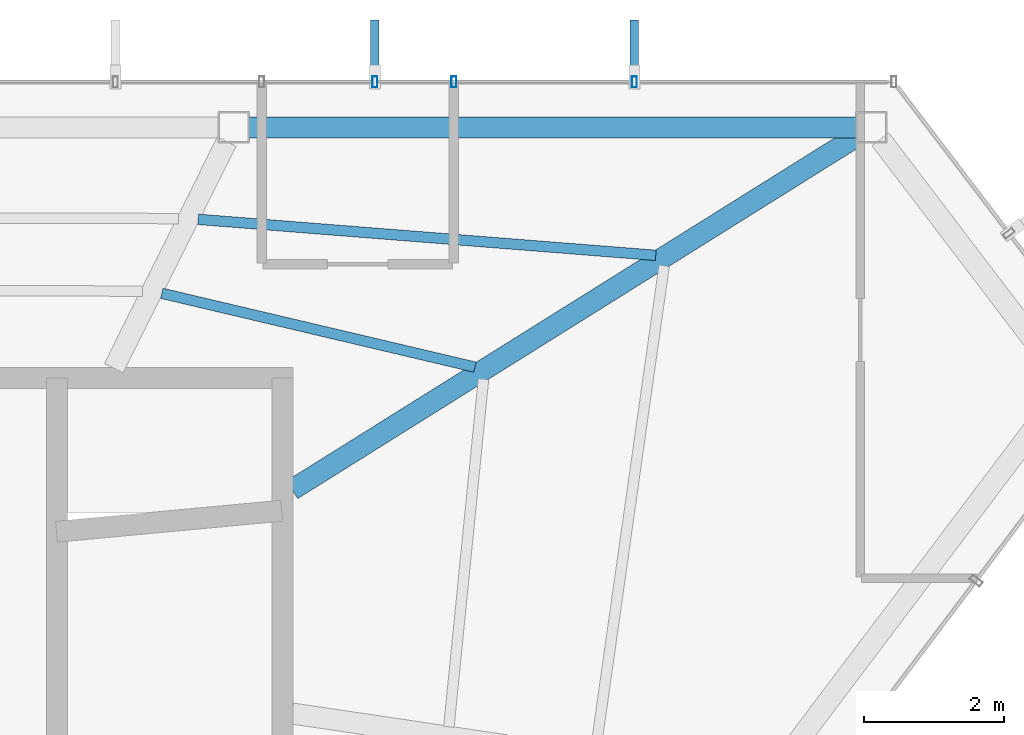
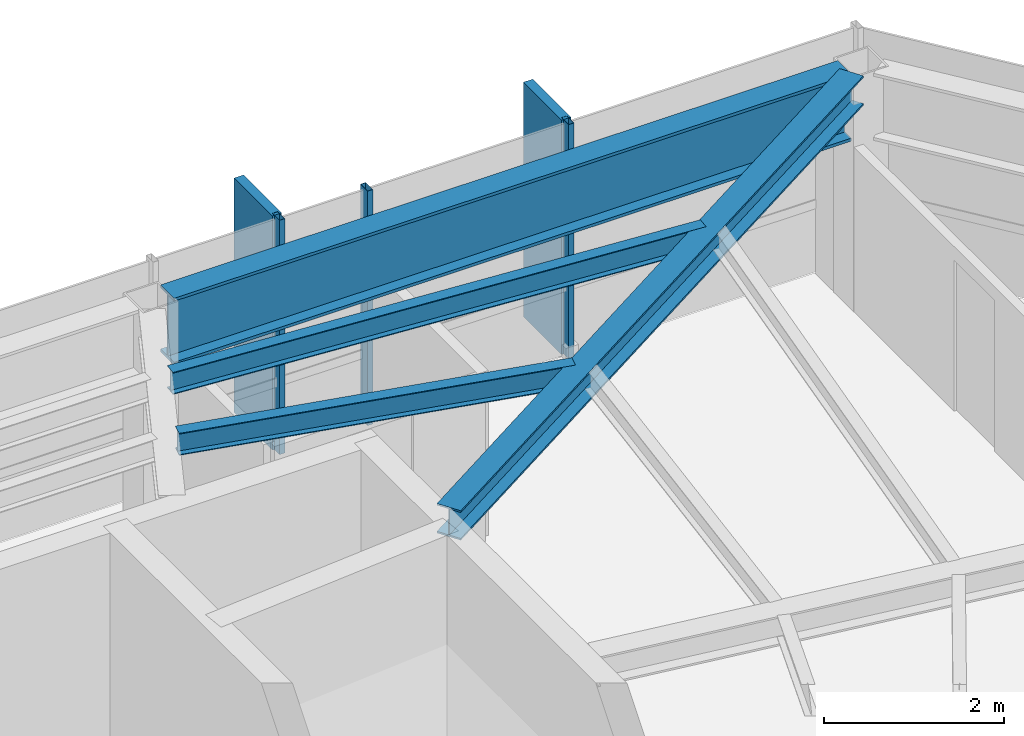
# One storey, part 18 of 23: 5 members, 4 beams, 1 element without a shape of its own.
"""IFC4 building model written with IfcOpenShell, lengths in metres."""

from ifc_helpers import new_model, si_unit, direction, frame, origin, origin_2d, place, context, subcontext, project, spatial, rectangle, hollow_rectangle, i_section, extrude, material, layer, layer_set, material_profile, profile_set, type_object, element, aggregate, save


model = new_model("IFC4")

# Units and contexts
model_context = context("Model", 3, precision=1e-05, world=origin(), true_north=direction((0.0, 1.0)))
body_context = subcontext(model_context, "Body", "Model", "MODEL_VIEW")
ifc_project = project(units=[si_unit("LENGTHUNIT", "METRE"), si_unit("AREAUNIT", "SQUARE_METRE"), si_unit("VOLUMEUNIT", "CUBIC_METRE"), si_unit("PLANEANGLEUNIT", "RADIAN"), si_unit("MASSUNIT", "GRAM", prefix="KILO")], contexts=[model_context])

# Site, building, storey
site_placement = place(None, origin())
site = spatial("IfcSite", under=ifc_project, at=site_placement, CompositionType="ELEMENT")
building_placement = place(site_placement, origin())
building = spatial("IfcBuilding", under=site, at=building_placement, Name="Zarrinselat Tower", CompositionType="ELEMENT")
storey_placement = place(building_placement, frame((0.0, 0.0, 278.800048828125)))
storey = spatial("IfcBuildingStorey", under=building, at=storey_placement, Name="L71", CompositionType="ELEMENT", Elevation=278.800048828125)

# Beams
ifc_material_1 = material(Name="Steel S355J2", Category="steel")
ifc_material_profile_1 = material_profile(ifc_material_1, i_section(OverallWidth=0.300048828125, OverallDepth=0.39990234375, WebThickness=0.013427734375, FlangeThickness=0.02392578125, at=origin_2d()), Name="HEB 400")
ifc_profile_set_1 = profile_set([ifc_material_profile_1], Name="Steel S355J2")
beam_type_1 = type_object("IfcBeamType", Name="BM-HEB400", PredefinedType="BEAM", material=ifc_profile_set_1)
beam_1_placement = place(storey_placement, frame((48.35009765625, 41.800048828125, 2.97998046875), z_axis=(0.847716518393, 0.530449530534, 0.0), x_axis=(-0.530449530534, 0.847716518393, 0.0)))
element("IfcBeam", 1, at=beam_1_placement, inside=storey, type_object=beam_type_1, Name="L71 Radial Primary Girder RG01", PredefinedType="BEAM", context=body_context, shape_type="SweptSolid", body=[
    extrude(i_section(OverallWidth=0.300048828125, OverallDepth=0.39990234375, WebThickness=0.013427734375, FlangeThickness=0.02392578125, at=origin_2d()), origin(), (0.0, 0.0, 1.0), 9.544189453125),
])
ifc_material_2 = material(Name="Steel S460M", Category="steel")
ifc_material_profile_2 = material_profile(ifc_material_2, i_section(OverallWidth=0.302001953125, OverallDepth=0.909912109375, WebThickness=0.02099609375, FlangeThickness=0.0400390625, at=origin_2d()), Name="HEM 900")
ifc_profile_set_2 = profile_set([ifc_material_profile_2], Name="Steel S460M")
beam_type_2 = type_object("IfcBeamType", Name="BM-HEM900", PredefinedType="BEAM", material=ifc_profile_set_2)
beam_2_placement = place(storey_placement, frame((47.729736328125, 46.9833984375, 2.724853515625), z_axis=(1.0, 0.0, 0.0), x_axis=(0.0, 1.0, 0.0)))
element("IfcBeam", 2, at=beam_2_placement, inside=storey, type_object=beam_type_2, Name="L71 Perimeter Spandrel Girder SP01", PredefinedType="BEAM", context=body_context, shape_type="SweptSolid", body=[
    extrude(i_section(OverallWidth=0.302001953125, OverallDepth=0.909912109375, WebThickness=0.02099609375, FlangeThickness=0.0400390625, at=origin_2d()), origin(), (0.0, 0.0, 1.0), 8.690673828125),
])
ifc_material_3 = material(Name="Steel S355J2", Category="steel")
ifc_material_profile_3 = material_profile(ifc_material_3, i_section(OverallWidth=0.14990234375, OverallDepth=0.300048828125, WebThickness=0.007080078125, FlangeThickness=0.0107421875, at=origin_2d()), Name="IPE 300")
ifc_profile_set_3 = profile_set([ifc_material_profile_3], Name="Steel S355J2")
beam_type_3 = type_object("IfcBeamType", Name="BM-IPE300", PredefinedType="JOIST", material=ifc_profile_set_3)
beam_3_placement = place(storey_placement, frame((47.005615234375, 45.66748046875, 3.030029296875), z_axis=(0.996919534301, -0.078431129848, 0.0), x_axis=(0.078431129848, 0.996919534301, 0.0)))
element("IfcBeam", 3, at=beam_3_placement, inside=storey, type_object=beam_type_3, Name="L71 Composite Floor Joist 6-1", PredefinedType="JOIST", context=body_context, shape_type="SweptSolid", body=[
    extrude(i_section(OverallWidth=0.14990234375, OverallDepth=0.300048828125, WebThickness=0.007080078125, FlangeThickness=0.0107421875, at=origin_2d()), origin(), (0.0, 0.0, 1.0), 6.56494140625),
])
beam_4_placement = place(storey_placement, frame((46.485595703125, 44.609619140625, 3.030029296875), z_axis=(0.973307123798, -0.229506520089, 0.0), x_axis=(0.229506520089, 0.973307123798, 0.0)))
element("IfcBeam", 4, at=beam_4_placement, inside=storey, type_object=beam_type_3, Name="L71 Composite Floor Joist 6-2", PredefinedType="JOIST", context=body_context, shape_type="SweptSolid", body=[
    extrude(i_section(OverallWidth=0.14990234375, OverallDepth=0.300048828125, WebThickness=0.007080078125, FlangeThickness=0.0107421875, at=origin_2d()), origin(), (0.0, 0.0, 1.0), 4.601806640625),
])

# Curtain wall, members
ifc_material_4 = material(Name="Extruded Aluminium Alloy EN AW-6063 T6", Category="aluminium")
ifc_layer = layer(ifc_material_4, 0.169921875)
ifc_layer_set = layer_set([ifc_layer], Name="Extruded Aluminium Alloy EN AW-6063 T6")
curtain_wall_type = type_object("IfcCurtainWallType", Name="CWS-RES", PredefinedType="NOTDEFINED", material=ifc_layer_set)
curtain_wall_placement = place(storey_placement, origin())
curtain_wall = element("IfcCurtainWall", 5, at=curtain_wall_placement, inside=storey, type_object=curtain_wall_type, Name="L71 Unitised Curtain Wall CW-L71-E01", PredefinedType="NOTDEFINED")
ifc_material_5 = material(Name="Extruded Aluminium Alloy EN AW-6063 T6", Category="aluminium")
ifc_material_profile_4 = material_profile(ifc_material_5, hollow_rectangle(XDim=0.070068359375, YDim=0.159912109375, WallThickness=0.00390625, at=origin_2d()), Name="RHS 160x70x4")
ifc_profile_set_4 = profile_set([ifc_material_profile_4], Name="Extruded Aluminium Alloy EN AW-6063 T6")
member_type_1 = type_object("IfcMemberType", Name="MEM-CW-MUL2", PredefinedType="MULLION", material=ifc_profile_set_4)
member_1_placement = place(storey_placement, frame((53.244140625, 47.63330078125, 0.0), z_axis=(0.0, 0.0, 1.0), x_axis=(-1.0, 0.0, 0.0)))
member_1 = element("IfcMember", 6, at=member_1_placement, type_object=member_type_1, Name="CW-L71-E01 Mullion 1", PredefinedType="MULLION", context=body_context, shape_type="SweptSolid", body=[
    extrude(hollow_rectangle(XDim=0.070068359375, YDim=0.159912109375, WallThickness=0.00390625, at=origin_2d()), origin(), (0.0, 0.0, 1.0), 3.179931640625),
])
member_2_placement = place(storey_placement, frame((50.66259765625, 47.63330078125, 0.0), z_axis=(0.0, 0.0, 1.0), x_axis=(-1.0, 0.0, 0.0)))
member_2 = element("IfcMember", 7, at=member_2_placement, type_object=member_type_1, Name="CW-L71-E01 Mullion 2", PredefinedType="MULLION", context=body_context, shape_type="SweptSolid", body=[
    extrude(hollow_rectangle(XDim=0.070068359375, YDim=0.159912109375, WallThickness=0.00390625, at=origin_2d()), origin(), (0.0, 0.0, 1.0), 3.179931640625),
])
member_3_placement = place(storey_placement, frame((49.532958984375, 47.63330078125, 0.0), z_axis=(0.0, 0.0, 1.0), x_axis=(-1.0, 0.0, 0.0)))
member_3 = element("IfcMember", 8, at=member_3_placement, type_object=member_type_1, Name="CW-L71-E01 Mullion 3", PredefinedType="MULLION", context=body_context, shape_type="SweptSolid", body=[
    extrude(hollow_rectangle(XDim=0.070068359375, YDim=0.159912109375, WallThickness=0.00390625, at=origin_2d()), origin(), (0.0, 0.0, 1.0), 3.179931640625),
])
ifc_material_6 = material(Name="Honed Cream Travertine Stone", Category="masonry")
ifc_material_profile_5 = material_profile(ifc_material_6, rectangle(XDim=0.1201171875, YDim=0.85009765625, at=origin_2d()), Name="FIN 850x120")
ifc_profile_set_5 = profile_set([ifc_material_profile_5], Name="Honed Cream Travertine Stone")
member_type_2 = type_object("IfcMemberType", Name="MEM-STONE-FIN", PredefinedType="USERDEFINED", material=ifc_profile_set_5)
member_4_placement = place(storey_placement, frame((53.244140625, 48.09326171875, 0.0), z_axis=(0.0, 0.0, 1.0), x_axis=(1.0, 0.0, 0.0)))
member_4 = element("IfcMember", 9, at=member_4_placement, type_object=member_type_2, Name="L71 Stone Shading Fin CW-L71-E01-01", ObjectType="FIN", PredefinedType="USERDEFINED", context=body_context, shape_type="SweptSolid", body=[
    extrude(rectangle(XDim=0.1201171875, YDim=0.85009765625, at=origin_2d()), origin(), (0.0, 0.0, 1.0), 3.179931640625),
])
member_5_placement = place(storey_placement, frame((49.532958984375, 48.09326171875, 0.0), z_axis=(0.0, 0.0, 1.0), x_axis=(1.0, 0.0, 0.0)))
member_5 = element("IfcMember", 10, at=member_5_placement, type_object=member_type_2, Name="L71 Stone Shading Fin CW-L71-E01-03", ObjectType="FIN", PredefinedType="USERDEFINED", context=body_context, shape_type="SweptSolid", body=[
    extrude(rectangle(XDim=0.1201171875, YDim=0.85009765625, at=origin_2d()), origin(), (0.0, 0.0, 1.0), 3.179931640625),
])
aggregate(curtain_wall, [member_1, member_4, member_2, member_3, member_5])

save(model, "model.ifc")
